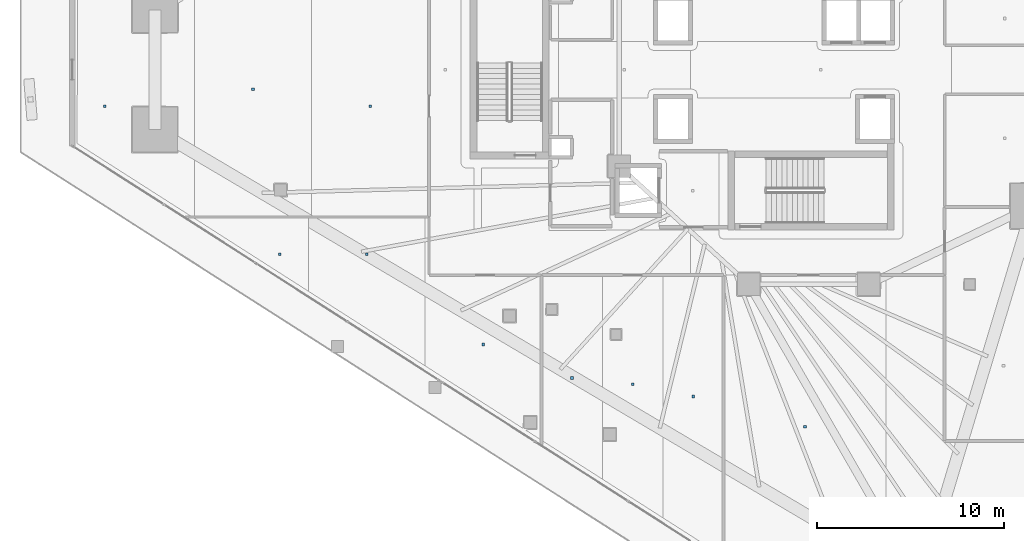
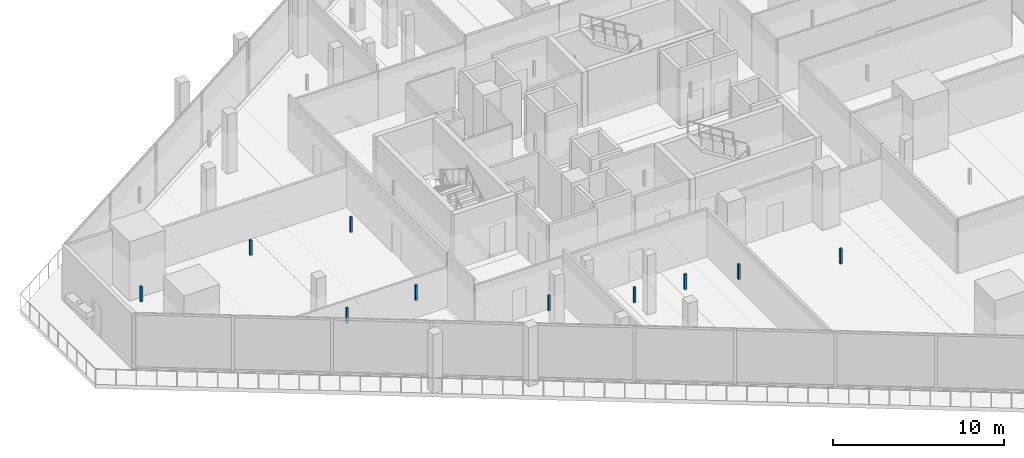
# One storey, part 31 of 44: 10 discrete accessories.
"""IFC4 building model written with IfcOpenShell, lengths in metres."""

from ifc_helpers import new_model, si_unit, direction, frame, origin, origin_2d, place, context, subcontext, project, spatial, rectangle, extrude, material, type_object, element, save


model = new_model("IFC4")

# Units and contexts
model_context = context("Model", 3, precision=1e-05, world=origin(), true_north=direction((0.0, 1.0)))
body_context = subcontext(model_context, "Body", "Model", "MODEL_VIEW")
ifc_project = project(units=[si_unit("LENGTHUNIT", "METRE"), si_unit("AREAUNIT", "SQUARE_METRE"), si_unit("VOLUMEUNIT", "CUBIC_METRE"), si_unit("PLANEANGLEUNIT", "RADIAN"), si_unit("MASSUNIT", "GRAM", prefix="KILO")], contexts=[model_context])

# Site, building, storey
site_placement = place(None, origin())
site = spatial("IfcSite", under=ifc_project, at=site_placement, CompositionType="ELEMENT")
building_placement = place(site_placement, origin())
building = spatial("IfcBuilding", under=site, at=building_placement, Name="Qorvath Tower", CompositionType="ELEMENT")
storey_placement = place(building_placement, frame((0.0, 0.0, 70.199951171875)))
storey = spatial("IfcBuildingStorey", under=building, at=storey_placement, Name="L15", CompositionType="ELEMENT", Elevation=70.199951171875)

# Discrete accessories
ifc_material = material(Name="Galvanised steel bracket", Category="steel")
discrete_accessory_type = type_object("IfcDiscreteAccessoryType", Name="DA-BRACKET", PredefinedType="BRACKET", material=ifc_material)
for number, where, z_axis, x_axis, name in (
    (1, (-33.02685546875, -16.45166015625, 2.85986328125), (0.0, 0.0, 1.0), (1.0, 0.0, 0.0), "Acoustic Ceiling Suspension Hanger T1-L15-019"),
    (2, (-29.790283203125, -16.776123046875, 2.85986328125), (0.0, 0.0, 1.0), (1.0, 0.0, 0.0), "Acoustic Ceiling Suspension Hanger T1-L15-020"),
    (3, (-26.553955078125, -17.43798828125, 2.85986328125), (0.0, 0.0, 1.0), (1.0, 0.0, 0.0), "Acoustic Ceiling Suspension Hanger T1-L15-021"),
    (4, (-20.5947265625, -19.05126953125, 2.85986328125), (0.0, 0.0, 1.0), (1.0, 0.0, 0.0), "Acoustic Ceiling Suspension Hanger T1-L15-022"),
    (5, (-48.6298828125, -9.845947265625, 2.85986328125), (0.0, 0.0, 1.0), (1.0, 0.0, 0.0), "Acoustic Ceiling Suspension Hanger T1-L15-034"),
    (6, (-43.97412109375, -9.845947265625, 2.85986328125), (0.0, 0.0, 1.0), (1.0, 0.0, 0.0), "Acoustic Ceiling Suspension Hanger T1-L15-035"),
    (7, (-37.766845703125, -14.65869140625, 2.85986328125), (0.0, 0.0, 1.0), (1.0, 0.0, 0.0), "Acoustic Ceiling Suspension Hanger T1-L15-036"),
    (8, (-57.962158203125, -1.943359375, 2.85986328125), (0.0, 0.0, 1.0), (1.0, 0.0, 0.0), "Acoustic Ceiling Suspension Hanger T1-L15-037"),
    (9, (-50.052490234375, -1.044189453125, 2.85986328125), (0.0, 0.0, 1.0), (1.0, 0.0, 0.0), "Acoustic Ceiling Suspension Hanger T1-L15-038"),
    (10, (-43.792724609375, -1.9462890625, 2.85986328125), (0.0, 0.0, 1.0), (1.0, 0.0, 0.0), "Acoustic Ceiling Suspension Hanger T1-L15-039"),
):
    element("IfcDiscreteAccessory", number, at=place(storey_placement, frame(where, z_axis=z_axis, x_axis=x_axis)), inside=storey, type_object=discrete_accessory_type, Name=name, PredefinedType="NOTDEFINED", context=body_context, shape_type="SweptSolid", body=[
        extrude(rectangle(XDim=0.139892578125, YDim=0.139892578125, at=origin_2d()), origin(), (0.0, 0.0, 1.0), 1.090087890625),
    ])

save(model, "model.ifc")
